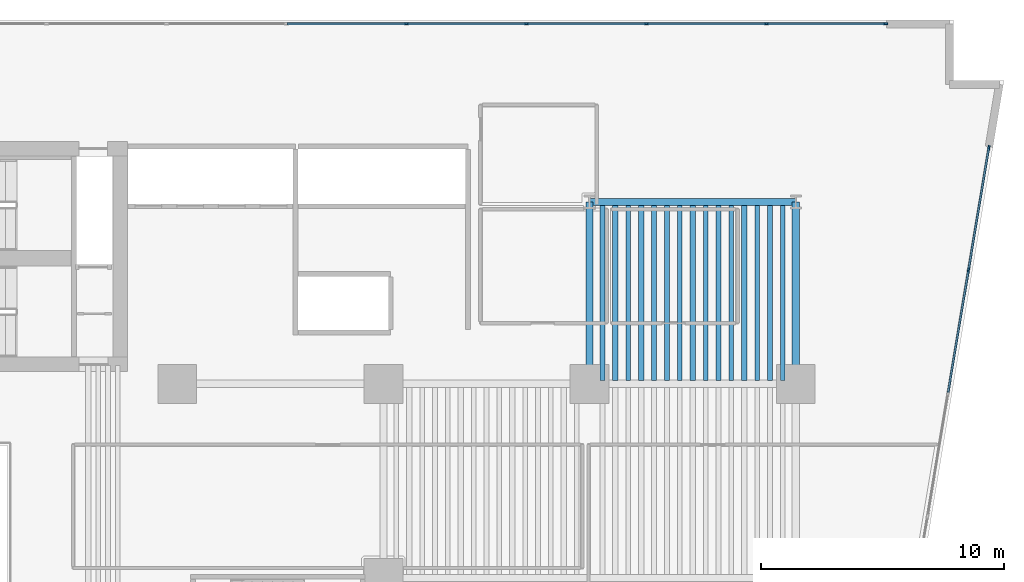
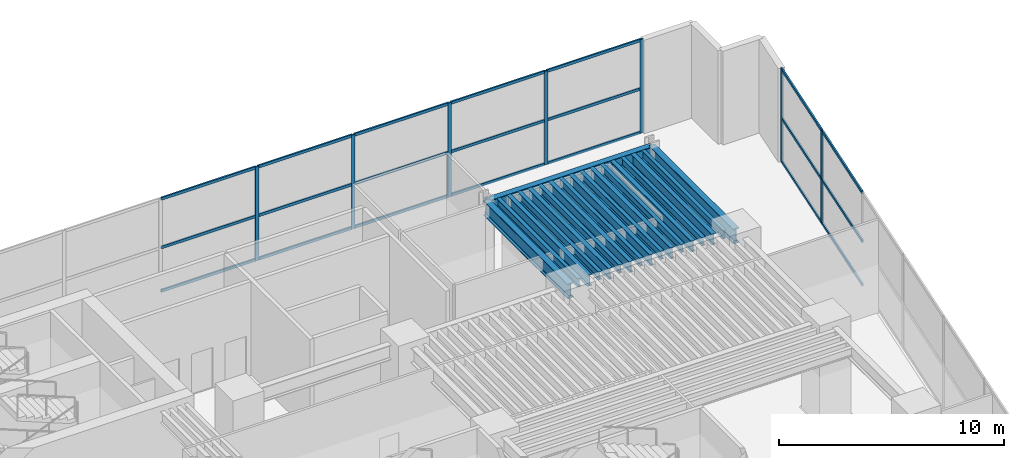
# One storey, part 7 of 17: 28 members, 18 beams, 2 elements without a shape of their own.
"""IFC4 building model written with IfcOpenShell, lengths in metres."""

from ifc_helpers import new_model, si_unit, direction, frame, origin, origin_2d, place, context, subcontext, project, spatial, rectangle, i_section, extrude, material, layer, layer_set, material_profile, profile_set, type_object, element, aggregate, save


model = new_model("IFC4")

# Units and contexts
model_context = context("Model", 3, precision=1e-05, world=origin(), true_north=direction((0.0, 1.0)))
body_context = subcontext(model_context, "Body", "Model", "MODEL_VIEW")
ifc_project = project(units=[si_unit("LENGTHUNIT", "METRE"), si_unit("AREAUNIT", "SQUARE_METRE"), si_unit("VOLUMEUNIT", "CUBIC_METRE"), si_unit("PLANEANGLEUNIT", "RADIAN"), si_unit("MASSUNIT", "GRAM", prefix="KILO")], contexts=[model_context])

# Site, building, storey
site_placement = place(None, origin())
site = spatial("IfcSite", under=ifc_project, at=site_placement, CompositionType="ELEMENT")
building_placement = place(site_placement, origin())
building = spatial("IfcBuilding", under=site, at=building_placement, Name="Caeloran Harvest Quay", CompositionType="ELEMENT")
storey_placement = place(building_placement, frame((0.0, 0.0, 5.39990234375)))
storey = spatial("IfcBuildingStorey", under=building, at=storey_placement, Name="L02", CompositionType="ELEMENT", Elevation=5.39990234375)

# Beams
ifc_material_1 = material(Name="Steel S355J2", Category="steel")
ifc_material_profile_1 = material_profile(ifc_material_1, i_section(OverallWidth=0.300048828125, OverallDepth=0.800048828125, WebThickness=0.017578125, FlangeThickness=0.032958984375, FilletRadius=0.030029296875, at=origin_2d()), Name="HE 800 B")
ifc_profile_set_1 = profile_set([ifc_material_profile_1], Name="Steel S355J2")
beam_type_1 = type_object("IfcBeamType", Name="BM-PG-1-HE_800_B", PredefinedType="BEAM", material=ifc_profile_set_1)
beam_placement = place(storey_placement, frame((42.5, 38.5, 4.68017578125), z_axis=(1.0, 0.0, 0.0), x_axis=(0.0, 1.0, 0.0)))
element("IfcBeam", 1, at=beam_placement, inside=storey, type_object=beam_type_1, Name="L02 Primary East-West Girder Y=38.5", PredefinedType="BEAM", context=body_context, shape_type="SweptSolid", body=[
    extrude(i_section(OverallWidth=0.300048828125, OverallDepth=0.800048828125, WebThickness=0.017578125, FlangeThickness=0.032958984375, FilletRadius=0.030029296875, at=origin_2d()), origin(), (0.0, 0.0, 1.0), 8.5),
])
for number, where, z_axis, x_axis, name in (
    (2, (42.5, 31.0, 4.68017578125), (0.0, 1.0, 0.0), (-1.0, 0.0, 0.0), "L02 Primary North-South Girder X=42.5"),
    (3, (51.0, 31.0, 4.68017578125), (0.0, 1.0, 0.0), (-1.0, 0.0, 0.0), "L02 Primary North-South Girder X=51.0"),
):
    element("IfcBeam", number, at=place(storey_placement, frame(where, z_axis=z_axis, x_axis=x_axis)), inside=storey, type_object=beam_type_1, Name=name, PredefinedType="BEAM", context=body_context, shape_type="SweptSolid", body=[
        extrude(i_section(OverallWidth=0.300048828125, OverallDepth=0.800048828125, WebThickness=0.017578125, FlangeThickness=0.032958984375, FilletRadius=0.030029296875, at=origin_2d()), origin(), (0.0, 0.0, 1.0), 7.5),
    ])
ifc_material_profile_2 = material_profile(ifc_material_1, i_section(OverallWidth=0.219970703125, OverallDepth=0.60009765625, WebThickness=0.011962890625, FlangeThickness=0.01904296875, FilletRadius=0.02392578125, at=origin_2d()), Name="IPE 600")
ifc_profile_set_2 = profile_set([ifc_material_profile_2], Name="Steel S355J2")
beam_type_2 = type_object("IfcBeamType", Name="BM-SB-1-IPE_600", PredefinedType="JOIST", material=ifc_profile_set_2)
for number, where, z_axis, x_axis, name in (
    (4, (43.5625, 31.14501953125, 4.780029296875), (0.0, 1.0, 0.0), (-1.0, 0.0, 0.0), "L02 Secondary Composite Joist"),
    (5, (44.625, 31.14501953125, 4.780029296875), (0.0, 1.0, 0.0), (-1.0, 0.0, 0.0), "L02 Secondary Composite Joist"),
    (6, (45.6875, 31.14501953125, 4.780029296875), (0.0, 1.0, 0.0), (-1.0, 0.0, 0.0), "L02 Secondary Composite Joist"),
    (7, (46.75, 31.14501953125, 4.780029296875), (0.0, 1.0, 0.0), (-1.0, 0.0, 0.0), "L02 Secondary Composite Joist"),
    (8, (47.8125, 31.14501953125, 4.780029296875), (0.0, 1.0, 0.0), (-1.0, 0.0, 0.0), "L02 Secondary Composite Joist"),
    (9, (48.875, 31.14501953125, 4.780029296875), (0.0, 1.0, 0.0), (-1.0, 0.0, 0.0), "L02 Secondary Composite Joist"),
    (10, (49.9375, 31.14501953125, 4.780029296875), (0.0, 1.0, 0.0), (-1.0, 0.0, 0.0), "L02 Secondary Composite Joist"),
):
    element("IfcBeam", number, at=place(storey_placement, frame(where, z_axis=z_axis, x_axis=x_axis)), inside=storey, type_object=beam_type_2, Name=name, PredefinedType="JOIST", context=body_context, shape_type="SweptSolid", body=[
        extrude(i_section(OverallWidth=0.219970703125, OverallDepth=0.60009765625, WebThickness=0.011962890625, FlangeThickness=0.01904296875, FilletRadius=0.02392578125, at=origin_2d()), origin(), (0.0, 0.0, 1.0), 7.2099609375),
    ])
ifc_material_profile_3 = material_profile(ifc_material_1, i_section(OverallWidth=0.18994140625, OverallDepth=0.449951171875, WebThickness=0.009521484375, FlangeThickness=0.0146484375, FilletRadius=0.02099609375, at=origin_2d()), Name="IPE 450")
ifc_profile_set_3 = profile_set([ifc_material_profile_3], Name="Steel S355J2")
beam_type_3 = type_object("IfcBeamType", Name="BM-SB-3-IPE_450", PredefinedType="JOIST", material=ifc_profile_set_3)
for number, where, z_axis, x_axis, name in (
    (11, (43.03125, 31.14501953125, 4.85498046875), (0.0, 1.0, 0.0), (-1.0, 0.0, 0.0), "L02 Secondary Composite Joist"),
    (12, (44.09375, 31.14501953125, 4.85498046875), (0.0, 1.0, 0.0), (-1.0, 0.0, 0.0), "L02 Secondary Composite Joist"),
    (13, (45.15625, 31.14501953125, 4.85498046875), (0.0, 1.0, 0.0), (-1.0, 0.0, 0.0), "L02 Secondary Composite Joist"),
    (14, (46.21875, 31.14501953125, 4.85498046875), (0.0, 1.0, 0.0), (-1.0, 0.0, 0.0), "L02 Secondary Composite Joist"),
    (15, (47.28125, 31.14501953125, 4.85498046875), (0.0, 1.0, 0.0), (-1.0, 0.0, 0.0), "L02 Secondary Composite Joist"),
    (16, (48.34375, 31.14501953125, 4.85498046875), (0.0, 1.0, 0.0), (-1.0, 0.0, 0.0), "L02 Secondary Composite Joist"),
    (17, (49.40625, 31.14501953125, 4.85498046875), (0.0, 1.0, 0.0), (-1.0, 0.0, 0.0), "L02 Secondary Composite Joist"),
    (18, (50.46875, 31.14501953125, 4.85498046875), (0.0, 1.0, 0.0), (-1.0, 0.0, 0.0), "L02 Secondary Composite Joist"),
):
    element("IfcBeam", number, at=place(storey_placement, frame(where, z_axis=z_axis, x_axis=x_axis)), inside=storey, type_object=beam_type_3, Name=name, PredefinedType="JOIST", context=body_context, shape_type="SweptSolid", body=[
        extrude(i_section(OverallWidth=0.18994140625, OverallDepth=0.449951171875, WebThickness=0.009521484375, FlangeThickness=0.0146484375, FilletRadius=0.02099609375, at=origin_2d()), origin(), (0.0, 0.0, 1.0), 7.2099609375),
    ])

# Curtain wall, members
ifc_material_2 = material(Name="Aluminium 6063-T6 and Low-E Glazing", Category="aluminium")
ifc_layer = layer(ifc_material_2, 0.179931640625, Name="Aluminium 6063-T6 and Low-E Glazing")
ifc_layer_set = layer_set([ifc_layer], Name="Aluminium 6063-T6 and Low-E Glazing")
curtain_wall_type = type_object("IfcCurtainWallType", Name="CW-SYS-CW-1", PredefinedType="USERDEFINED", material=ifc_layer_set)
curtain_wall_1_placement = place(storey_placement, origin())
curtain_wall_1 = element("IfcCurtainWall", 19, at=curtain_wall_1_placement, inside=storey, type_object=curtain_wall_type, Name="L02 Unitised Curtain Wall CW-1 Run 6", ObjectType="CURTAIN_WALL", PredefinedType="USERDEFINED")
ifc_material_3 = material(Name="Aluminium 6063-T6", Category="aluminium")
ifc_material_profile_4 = material_profile(ifc_material_3, rectangle(XDim=0.080078125, YDim=0.179931640625, at=origin_2d()), Name="CW-MULLION-180")
ifc_profile_set_4 = profile_set([ifc_material_profile_4], Name="Aluminium 6063-T6")
member_type_1 = type_object("IfcMemberType", Name="CW-MULLION-180", PredefinedType="MULLION", material=ifc_profile_set_4)
member_1_placement = place(storey_placement, frame((34.947998046875, 45.840087890625, 0.0), z_axis=(0.0, 0.0, 1.0), x_axis=(0.0, 1.0, 0.0)))
member_1 = element("IfcMember", 20, at=member_1_placement, type_object=member_type_1, Name="CW-1 mullion 7", PredefinedType="MULLION", context=body_context, shape_type="SweptSolid", body=[
    extrude(rectangle(XDim=0.080078125, YDim=0.179931640625, at=origin_2d()), origin(), (0.0, 0.0, 1.0), 5.080078125),
])
member_2_placement = place(storey_placement, frame((39.89599609375, 45.840087890625, 0.0), z_axis=(0.0, 0.0, 1.0), x_axis=(0.0, 1.0, 0.0)))
member_2 = element("IfcMember", 21, at=member_2_placement, type_object=member_type_1, Name="CW-1 mullion 8", PredefinedType="MULLION", context=body_context, shape_type="SweptSolid", body=[
    extrude(rectangle(XDim=0.080078125, YDim=0.179931640625, at=origin_2d()), origin(), (0.0, 0.0, 1.0), 5.080078125),
])
member_3_placement = place(storey_placement, frame((44.843994140625, 45.840087890625, 0.0), z_axis=(0.0, 0.0, 1.0), x_axis=(0.0, 1.0, 0.0)))
member_3 = element("IfcMember", 22, at=member_3_placement, type_object=member_type_1, Name="CW-1 mullion 9", PredefinedType="MULLION", context=body_context, shape_type="SweptSolid", body=[
    extrude(rectangle(XDim=0.080078125, YDim=0.179931640625, at=origin_2d()), origin(), (0.0, 0.0, 1.0), 5.080078125),
])
member_4_placement = place(storey_placement, frame((49.7919921875, 45.840087890625, 0.0), z_axis=(0.0, 0.0, 1.0), x_axis=(0.0, 1.0, 0.0)))
member_4 = element("IfcMember", 23, at=member_4_placement, type_object=member_type_1, Name="CW-1 mullion 10", PredefinedType="MULLION", context=body_context, shape_type="SweptSolid", body=[
    extrude(rectangle(XDim=0.080078125, YDim=0.179931640625, at=origin_2d()), origin(), (0.0, 0.0, 1.0), 5.080078125),
])
member_5_placement = place(storey_placement, frame((54.699951171875, 45.840087890625, 0.0), z_axis=(0.0, 0.0, 1.0), x_axis=(0.0, 1.0, 0.0)))
member_5 = element("IfcMember", 24, at=member_5_placement, type_object=member_type_1, Name="CW-1 mullion 11", PredefinedType="MULLION", context=body_context, shape_type="SweptSolid", body=[
    extrude(rectangle(XDim=0.080078125, YDim=0.179931640625, at=origin_2d()), origin(), (0.0, 0.0, 1.0), 5.080078125),
])

curtain_wall_2_placement = place(storey_placement, origin())
curtain_wall_2 = element("IfcCurtainWall", 25, at=curtain_wall_2_placement, inside=storey, type_object=curtain_wall_type, Name="L02 Unitised Curtain Wall CW-1 Run 9", ObjectType="CURTAIN_WALL", PredefinedType="USERDEFINED")
member_6_placement = place(storey_placement, frame((58.961669921875, 40.73583984375, 0.0), z_axis=(0.0, 0.0, 1.0), x_axis=(0.986431244674, -0.164174905304, 0.0)))
member_6 = element("IfcMember", 26, at=member_6_placement, type_object=member_type_1, Name="CW-1 mullion 1", PredefinedType="MULLION", context=body_context, shape_type="SweptSolid", body=[
    extrude(rectangle(XDim=0.080078125, YDim=0.179931640625, at=origin_2d()), origin(), (0.0, 0.0, 1.0), 5.080078125),
])
member_7_placement = place(storey_placement, frame((58.123046875, 35.696533203125, 0.0), z_axis=(0.0, 0.0, 1.0), x_axis=(0.986431244674, -0.164174905304, 0.0)))
member_7 = element("IfcMember", 27, at=member_7_placement, type_object=member_type_1, Name="CW-1 mullion 2", PredefinedType="MULLION", context=body_context, shape_type="SweptSolid", body=[
    extrude(rectangle(XDim=0.080078125, YDim=0.179931640625, at=origin_2d()), origin(), (0.0, 0.0, 1.0), 5.080078125),
])

# Member
ifc_material_profile_5 = material_profile(ifc_material_3, rectangle(XDim=0.080078125, YDim=0.14990234375, at=origin_2d()), Name="CW-TRANSOM-150")
ifc_profile_set_5 = profile_set([ifc_material_profile_5], Name="Aluminium 6063-T6")
member_type_2 = type_object("IfcMemberType", Name="CW-TRANSOM-150", PredefinedType="USERDEFINED", material=ifc_profile_set_5)
member_8_placement = place(storey_placement, frame((30.0400390625, 45.840087890625, 0.0400390625), z_axis=(1.0, 0.0, 0.0), x_axis=(0.0, 1.0, 0.0)))
member_8 = element("IfcMember", 28, at=member_8_placement, type_object=member_type_2, Name="CW-1 transom 6.1", ObjectType="TRANSOM", PredefinedType="USERDEFINED", context=body_context, shape_type="SweptSolid", body=[
    extrude(rectangle(XDim=0.080078125, YDim=0.14990234375, at=origin_2d()), origin(), (0.0, 0.0, 1.0), 4.867919921875),
])

member_9_placement = place(storey_placement, frame((30.0400390625, 45.840087890625, 2.400146484375), z_axis=(1.0, 0.0, 0.0), x_axis=(0.0, 1.0, 0.0)))
member_9 = element("IfcMember", 29, at=member_9_placement, type_object=member_type_2, Name="CW-1 transom 6.2", ObjectType="TRANSOM", PredefinedType="USERDEFINED", context=body_context, shape_type="SweptSolid", body=[
    extrude(rectangle(XDim=0.080078125, YDim=0.14990234375, at=origin_2d()), origin(), (0.0, 0.0, 1.0), 4.867919921875),
])

member_10_placement = place(storey_placement, frame((30.0400390625, 45.840087890625, 5.0400390625), z_axis=(1.0, 0.0, 0.0), x_axis=(0.0, 1.0, 0.0)))
member_10 = element("IfcMember", 30, at=member_10_placement, type_object=member_type_2, Name="CW-1 transom 6.3", ObjectType="TRANSOM", PredefinedType="USERDEFINED", context=body_context, shape_type="SweptSolid", body=[
    extrude(rectangle(XDim=0.080078125, YDim=0.14990234375, at=origin_2d()), origin(), (0.0, 0.0, 1.0), 4.867919921875),
])

member_11_placement = place(storey_placement, frame((34.988037109375, 45.840087890625, 0.0400390625), z_axis=(1.0, 0.0, 0.0), x_axis=(0.0, 1.0, 0.0)))
member_11 = element("IfcMember", 31, at=member_11_placement, type_object=member_type_2, Name="CW-1 transom 7.1", ObjectType="TRANSOM", PredefinedType="USERDEFINED", context=body_context, shape_type="SweptSolid", body=[
    extrude(rectangle(XDim=0.080078125, YDim=0.14990234375, at=origin_2d()), origin(), (0.0, 0.0, 1.0), 4.867919921875),
])

member_12_placement = place(storey_placement, frame((34.988037109375, 45.840087890625, 2.400146484375), z_axis=(1.0, 0.0, 0.0), x_axis=(0.0, 1.0, 0.0)))
member_12 = element("IfcMember", 32, at=member_12_placement, type_object=member_type_2, Name="CW-1 transom 7.2", ObjectType="TRANSOM", PredefinedType="USERDEFINED", context=body_context, shape_type="SweptSolid", body=[
    extrude(rectangle(XDim=0.080078125, YDim=0.14990234375, at=origin_2d()), origin(), (0.0, 0.0, 1.0), 4.867919921875),
])

member_13_placement = place(storey_placement, frame((34.988037109375, 45.840087890625, 5.0400390625), z_axis=(1.0, 0.0, 0.0), x_axis=(0.0, 1.0, 0.0)))
member_13 = element("IfcMember", 33, at=member_13_placement, type_object=member_type_2, Name="CW-1 transom 7.3", ObjectType="TRANSOM", PredefinedType="USERDEFINED", context=body_context, shape_type="SweptSolid", body=[
    extrude(rectangle(XDim=0.080078125, YDim=0.14990234375, at=origin_2d()), origin(), (0.0, 0.0, 1.0), 4.867919921875),
])

member_14_placement = place(storey_placement, frame((39.93603515625, 45.840087890625, 0.0400390625), z_axis=(1.0, 0.0, 0.0), x_axis=(0.0, 1.0, 0.0)))
member_14 = element("IfcMember", 34, at=member_14_placement, type_object=member_type_2, Name="CW-1 transom 8.1", ObjectType="TRANSOM", PredefinedType="USERDEFINED", context=body_context, shape_type="SweptSolid", body=[
    extrude(rectangle(XDim=0.080078125, YDim=0.14990234375, at=origin_2d()), origin(), (0.0, 0.0, 1.0), 4.867919921875),
])

member_15_placement = place(storey_placement, frame((39.93603515625, 45.840087890625, 2.400146484375), z_axis=(1.0, 0.0, 0.0), x_axis=(0.0, 1.0, 0.0)))
member_15 = element("IfcMember", 35, at=member_15_placement, type_object=member_type_2, Name="CW-1 transom 8.2", ObjectType="TRANSOM", PredefinedType="USERDEFINED", context=body_context, shape_type="SweptSolid", body=[
    extrude(rectangle(XDim=0.080078125, YDim=0.14990234375, at=origin_2d()), origin(), (0.0, 0.0, 1.0), 4.867919921875),
])

member_16_placement = place(storey_placement, frame((39.93603515625, 45.840087890625, 5.0400390625), z_axis=(1.0, 0.0, 0.0), x_axis=(0.0, 1.0, 0.0)))
member_16 = element("IfcMember", 36, at=member_16_placement, type_object=member_type_2, Name="CW-1 transom 8.3", ObjectType="TRANSOM", PredefinedType="USERDEFINED", context=body_context, shape_type="SweptSolid", body=[
    extrude(rectangle(XDim=0.080078125, YDim=0.14990234375, at=origin_2d()), origin(), (0.0, 0.0, 1.0), 4.867919921875),
])

member_17_placement = place(storey_placement, frame((44.884033203125, 45.840087890625, 0.0400390625), z_axis=(1.0, 0.0, 0.0), x_axis=(0.0, 1.0, 0.0)))
member_17 = element("IfcMember", 37, at=member_17_placement, type_object=member_type_2, Name="CW-1 transom 9.1", ObjectType="TRANSOM", PredefinedType="USERDEFINED", context=body_context, shape_type="SweptSolid", body=[
    extrude(rectangle(XDim=0.080078125, YDim=0.14990234375, at=origin_2d()), origin(), (0.0, 0.0, 1.0), 4.867919921875),
])

member_18_placement = place(storey_placement, frame((44.884033203125, 45.840087890625, 2.400146484375), z_axis=(1.0, 0.0, 0.0), x_axis=(0.0, 1.0, 0.0)))
member_18 = element("IfcMember", 38, at=member_18_placement, type_object=member_type_2, Name="CW-1 transom 9.2", ObjectType="TRANSOM", PredefinedType="USERDEFINED", context=body_context, shape_type="SweptSolid", body=[
    extrude(rectangle(XDim=0.080078125, YDim=0.14990234375, at=origin_2d()), origin(), (0.0, 0.0, 1.0), 4.867919921875),
])

member_19_placement = place(storey_placement, frame((44.884033203125, 45.840087890625, 5.0400390625), z_axis=(1.0, 0.0, 0.0), x_axis=(0.0, 1.0, 0.0)))
member_19 = element("IfcMember", 39, at=member_19_placement, type_object=member_type_2, Name="CW-1 transom 9.3", ObjectType="TRANSOM", PredefinedType="USERDEFINED", context=body_context, shape_type="SweptSolid", body=[
    extrude(rectangle(XDim=0.080078125, YDim=0.14990234375, at=origin_2d()), origin(), (0.0, 0.0, 1.0), 4.867919921875),
])

member_20_placement = place(storey_placement, frame((49.83203125, 45.840087890625, 0.0400390625), z_axis=(1.0, 0.0, 0.0), x_axis=(0.0, 1.0, 0.0)))
member_20 = element("IfcMember", 40, at=member_20_placement, type_object=member_type_2, Name="CW-1 transom 10.1", ObjectType="TRANSOM", PredefinedType="USERDEFINED", context=body_context, shape_type="SweptSolid", body=[
    extrude(rectangle(XDim=0.080078125, YDim=0.14990234375, at=origin_2d()), origin(), (0.0, 0.0, 1.0), 4.827880859375),
])

member_21_placement = place(storey_placement, frame((49.83203125, 45.840087890625, 2.400146484375), z_axis=(1.0, 0.0, 0.0), x_axis=(0.0, 1.0, 0.0)))
member_21 = element("IfcMember", 41, at=member_21_placement, type_object=member_type_2, Name="CW-1 transom 10.2", ObjectType="TRANSOM", PredefinedType="USERDEFINED", context=body_context, shape_type="SweptSolid", body=[
    extrude(rectangle(XDim=0.080078125, YDim=0.14990234375, at=origin_2d()), origin(), (0.0, 0.0, 1.0), 4.827880859375),
])

member_22_placement = place(storey_placement, frame((49.83203125, 45.840087890625, 5.0400390625), z_axis=(1.0, 0.0, 0.0), x_axis=(0.0, 1.0, 0.0)))
member_22 = element("IfcMember", 42, at=member_22_placement, type_object=member_type_2, Name="CW-1 transom 10.3", ObjectType="TRANSOM", PredefinedType="USERDEFINED", context=body_context, shape_type="SweptSolid", body=[
    extrude(rectangle(XDim=0.080078125, YDim=0.14990234375, at=origin_2d()), origin(), (0.0, 0.0, 1.0), 4.827880859375),
])

aggregate(curtain_wall_1, [member_1, member_2, member_3, member_4, member_5, member_8, member_9, member_10, member_11, member_12, member_13, member_14, member_15, member_16, member_17, member_18, member_19, member_20, member_21, member_22])

member_23_placement = place(storey_placement, frame((58.955078125, 40.6962890625, 0.0400390625), z_axis=(-0.164202152453, -0.986426709457, 0.0), x_axis=(0.986426709457, -0.164202152453, 0.0)))
member_23 = element("IfcMember", 43, at=member_23_placement, type_object=member_type_2, Name="CW-1 transom 1.1", ObjectType="TRANSOM", PredefinedType="USERDEFINED", context=body_context, shape_type="SweptSolid", body=[
    extrude(rectangle(XDim=0.080078125, YDim=0.14990234375, at=origin_2d()), origin(), (0.0, 0.0, 1.0), 5.028564453125),
])

member_24_placement = place(storey_placement, frame((58.955078125, 40.6962890625, 2.400146484375), z_axis=(-0.164202152453, -0.986426709457, 0.0), x_axis=(0.986426709457, -0.164202152453, 0.0)))
member_24 = element("IfcMember", 44, at=member_24_placement, type_object=member_type_2, Name="CW-1 transom 1.2", ObjectType="TRANSOM", PredefinedType="USERDEFINED", context=body_context, shape_type="SweptSolid", body=[
    extrude(rectangle(XDim=0.080078125, YDim=0.14990234375, at=origin_2d()), origin(), (0.0, 0.0, 1.0), 5.028564453125),
])

member_25_placement = place(storey_placement, frame((58.955078125, 40.6962890625, 5.0400390625), z_axis=(-0.164202152453, -0.986426709457, 0.0), x_axis=(0.986426709457, -0.164202152453, 0.0)))
member_25 = element("IfcMember", 45, at=member_25_placement, type_object=member_type_2, Name="CW-1 transom 1.3", ObjectType="TRANSOM", PredefinedType="USERDEFINED", context=body_context, shape_type="SweptSolid", body=[
    extrude(rectangle(XDim=0.080078125, YDim=0.14990234375, at=origin_2d()), origin(), (0.0, 0.0, 1.0), 5.028564453125),
])

member_26_placement = place(storey_placement, frame((58.116455078125, 35.6572265625, 0.0400390625), z_axis=(-0.1642037096, -0.98642645025, 0.0), x_axis=(0.98642645025, -0.1642037096, 0.0)))
member_26 = element("IfcMember", 46, at=member_26_placement, type_object=member_type_2, Name="CW-1 transom 2.1", ObjectType="TRANSOM", PredefinedType="USERDEFINED", context=body_context, shape_type="SweptSolid", body=[
    extrude(rectangle(XDim=0.080078125, YDim=0.14990234375, at=origin_2d()), origin(), (0.0, 0.0, 1.0), 5.068603515625),
])

member_27_placement = place(storey_placement, frame((58.116455078125, 35.6572265625, 2.400146484375), z_axis=(-0.1642037096, -0.98642645025, 0.0), x_axis=(0.98642645025, -0.1642037096, 0.0)))
member_27 = element("IfcMember", 47, at=member_27_placement, type_object=member_type_2, Name="CW-1 transom 2.2", ObjectType="TRANSOM", PredefinedType="USERDEFINED", context=body_context, shape_type="SweptSolid", body=[
    extrude(rectangle(XDim=0.080078125, YDim=0.14990234375, at=origin_2d()), origin(), (0.0, 0.0, 1.0), 5.068603515625),
])

member_28_placement = place(storey_placement, frame((58.116455078125, 35.6572265625, 5.0400390625), z_axis=(-0.1642037096, -0.98642645025, 0.0), x_axis=(0.98642645025, -0.1642037096, 0.0)))
member_28 = element("IfcMember", 48, at=member_28_placement, type_object=member_type_2, Name="CW-1 transom 2.3", ObjectType="TRANSOM", PredefinedType="USERDEFINED", context=body_context, shape_type="SweptSolid", body=[
    extrude(rectangle(XDim=0.080078125, YDim=0.14990234375, at=origin_2d()), origin(), (0.0, 0.0, 1.0), 5.068603515625),
])

aggregate(curtain_wall_2, [member_6, member_7, member_23, member_24, member_25, member_26, member_27, member_28])

save(model, "model.ifc")
